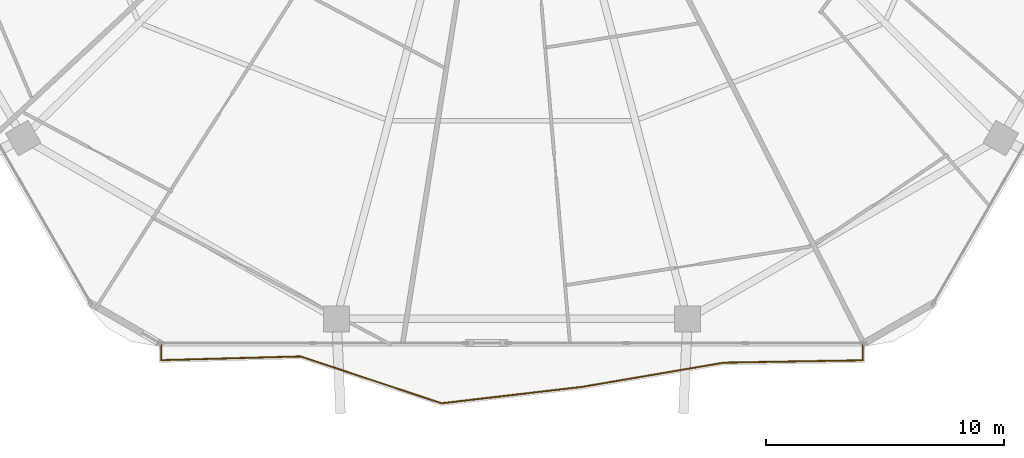
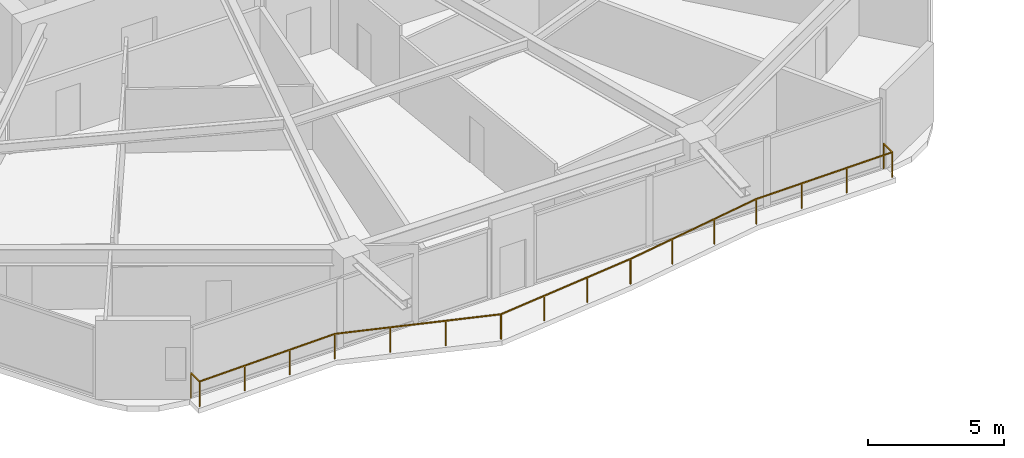
# One storey, part 31 of 33: 1 railing.
"""IFC4 building model written with IfcOpenShell, lengths in metres."""

from ifc_helpers import new_model, si_unit, direction, frame, origin, origin_2d, place, context, subcontext, project, spatial, rectangle, extrude, material, type_object, element, save


model = new_model("IFC4")

# Units and contexts
model_context = context("Model", 3, precision=1e-05, world=origin(), true_north=direction((0.0, 1.0)))
body_context = subcontext(model_context, "Body", "Model", "MODEL_VIEW")
ifc_project = project(units=[si_unit("LENGTHUNIT", "METRE"), si_unit("AREAUNIT", "SQUARE_METRE"), si_unit("VOLUMEUNIT", "CUBIC_METRE"), si_unit("PLANEANGLEUNIT", "RADIAN"), si_unit("MASSUNIT", "GRAM", prefix="KILO")], contexts=[model_context])

# Site, building, storey
site_placement = place(None, origin())
site = spatial("IfcSite", under=ifc_project, at=site_placement, CompositionType="ELEMENT")
building_placement = place(site_placement, origin())
building = spatial("IfcBuilding", under=site, at=building_placement, Name="Zuhravey Tower", CompositionType="ELEMENT")
storey_placement = place(building_placement, frame((0.0, 0.0, 126.60009765625)))
storey = spatial("IfcBuildingStorey", under=building, at=storey_placement, Name="L31", CompositionType="ELEMENT", Elevation=126.60009765625)

# Railing
ifc_material = material(Name="Stainless steel 316 and laminated glass", Category="steel")
railing_type = type_object("IfcRailingType", Name="Balcony & Terrace Guardrail 1150", PredefinedType="BALUSTRADE", material=ifc_material)
railing_placement = place(storey_placement, frame((50.728271484375, 2.95654296875, 0.0)))
element("IfcRailing", 1, at=railing_placement, inside=storey, type_object=railing_type, Name="L31 Face 5 Wave Balcony Guardrail GR1", PredefinedType="BALUSTRADE", context=body_context, shape_type="SweptSolid", body=[
    extrude(rectangle(XDim=0.048095703125, YDim=0.048095703125, at=origin_2d()), frame((0.0, -0.001953125, 1.1259765625), z_axis=(0.0, -1.0, 0.0), x_axis=(1.0, 0.0, 0.0)), (0.0, 0.0, 1.0), 0.637939453125),
    extrude(rectangle(XDim=0.048095703125, YDim=0.048095703125, at=origin_2d()), frame((-0.001953125, -0.641845703125, 1.1259765625), z_axis=(-0.999856729944, -0.016926889421, 0.0), x_axis=(0.016926889421, -0.999856729944, 0.0)), (0.0, 0.0, 1.0), 5.83740234375),
    extrude(rectangle(XDim=0.048095703125, YDim=0.048095703125, at=origin_2d()), frame((-5.842529296875, -0.740966796875, 1.1259765625), z_axis=(-0.985678137266, -0.16863750981, 0.0), x_axis=(0.16863750981, -0.985678137266, 0.0)), (0.0, 0.0, 1.0), 6.0185546875),
    extrude(rectangle(XDim=0.048095703125, YDim=0.048095703125, at=origin_2d()), frame((-11.77880859375, -1.756591796875, 1.1259765625), z_axis=(-0.993247221374, -0.116017055783, 0.0), x_axis=(0.116017055783, -0.993247221374, 0.0)), (0.0, 0.0, 1.0), 5.94287109375),
    extrude(rectangle(XDim=0.048095703125, YDim=0.048095703125, at=origin_2d()), frame((-17.685546875, -2.445556640625, 1.1259765625), z_axis=(-0.949128065899, 0.314890321418, 0.0), x_axis=(-0.314890321418, -0.949128065899, 0.0)), (0.0, 0.0, 1.0), 6.240478515625),
    extrude(rectangle(XDim=0.048095703125, YDim=0.048095703125, at=origin_2d()), frame((-23.6123046875, -0.47998046875, 1.1259765625), z_axis=(-0.999637433865, -0.026925839173, 0.0), x_axis=(0.026925839173, -0.999637433865, 0.0)), (0.0, 0.0, 1.0), 5.84423828125),
    extrude(rectangle(XDim=0.048095703125, YDim=0.048095703125, at=origin_2d()), frame((-29.45654296875, -0.635498046875, 1.1259765625), z_axis=(0.0, 1.0, 0.0), x_axis=(-1.0, 0.0, 0.0)), (0.0, 0.0, 1.0), 0.633544921875),
    extrude(rectangle(XDim=0.0419921875, YDim=0.0419921875, at=origin_2d()), origin(), (0.0, 0.0, 1.0), 1.099853515625),
    extrude(rectangle(XDim=0.0419921875, YDim=0.0419921875, at=origin_2d()), frame((0.0, -0.641845703125, 0.0)), (0.0, 0.0, 1.0), 1.099853515625),
    extrude(rectangle(XDim=0.0419921875, YDim=0.0419921875, at=origin_2d()), frame((-1.94677734375, -0.6748046875, 0.0)), (0.0, 0.0, 1.0), 1.099853515625),
    extrude(rectangle(XDim=0.0419921875, YDim=0.0419921875, at=origin_2d()), frame((-3.893798828125, -0.707763671875, 0.0)), (0.0, 0.0, 1.0), 1.099853515625),
    extrude(rectangle(XDim=0.0419921875, YDim=0.0419921875, at=origin_2d()), frame((-5.840576171875, -0.74072265625, 0.0)), (0.0, 0.0, 1.0), 1.099853515625),
    extrude(rectangle(XDim=0.0419921875, YDim=0.0419921875, at=origin_2d()), frame((-7.8193359375, -1.079345703125, 0.0)), (0.0, 0.0, 1.0), 1.099853515625),
    extrude(rectangle(XDim=0.0419921875, YDim=0.0419921875, at=origin_2d()), frame((-9.798095703125, -1.417724609375, 0.0)), (0.0, 0.0, 1.0), 1.099853515625),
    extrude(rectangle(XDim=0.0419921875, YDim=0.0419921875, at=origin_2d()), frame((-11.77685546875, -1.75634765625, 0.0)), (0.0, 0.0, 1.0), 1.099853515625),
    extrude(rectangle(XDim=0.0419921875, YDim=0.0419921875, at=origin_2d()), frame((-13.745849609375, -1.986328125, 0.0)), (0.0, 0.0, 1.0), 1.099853515625),
    extrude(rectangle(XDim=0.0419921875, YDim=0.0419921875, at=origin_2d()), frame((-15.714599609375, -2.21630859375, 0.0)), (0.0, 0.0, 1.0), 1.099853515625),
    extrude(rectangle(XDim=0.0419921875, YDim=0.0419921875, at=origin_2d()), frame((-17.68359375, -2.4462890625, 0.0)), (0.0, 0.0, 1.0), 1.099853515625),
    extrude(rectangle(XDim=0.0419921875, YDim=0.0419921875, at=origin_2d()), frame((-19.6591796875, -1.790771484375, 0.0)), (0.0, 0.0, 1.0), 1.099853515625),
    extrude(rectangle(XDim=0.0419921875, YDim=0.0419921875, at=origin_2d()), frame((-21.634765625, -1.135498046875, 0.0)), (0.0, 0.0, 1.0), 1.099853515625),
    extrude(rectangle(XDim=0.0419921875, YDim=0.0419921875, at=origin_2d()), frame((-23.6103515625, -0.47998046875, 0.0)), (0.0, 0.0, 1.0), 1.099853515625),
    extrude(rectangle(XDim=0.0419921875, YDim=0.0419921875, at=origin_2d()), frame((-25.55908203125, -0.532470703125, 0.0)), (0.0, 0.0, 1.0), 1.099853515625),
    extrude(rectangle(XDim=0.0419921875, YDim=0.0419921875, at=origin_2d()), frame((-27.5078125, -0.5849609375, 0.0)), (0.0, 0.0, 1.0), 1.099853515625),
    extrude(rectangle(XDim=0.0419921875, YDim=0.0419921875, at=origin_2d()), frame((-29.45654296875, -0.637451171875, 0.0)), (0.0, 0.0, 1.0), 1.099853515625),
    extrude(rectangle(XDim=0.0419921875, YDim=0.0419921875, at=origin_2d()), frame((-29.45654296875, 0.0, 0.0)), (0.0, 0.0, 1.0), 1.099853515625),
])

save(model, "model.ifc")
